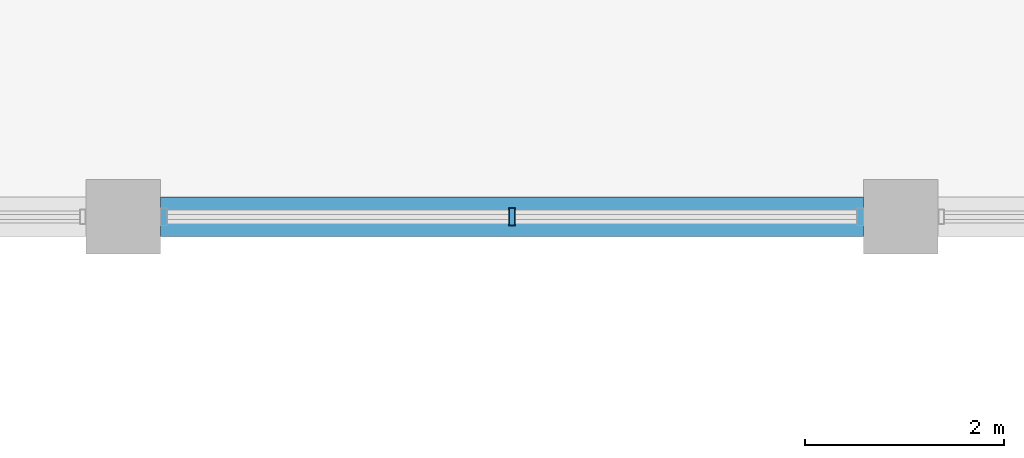
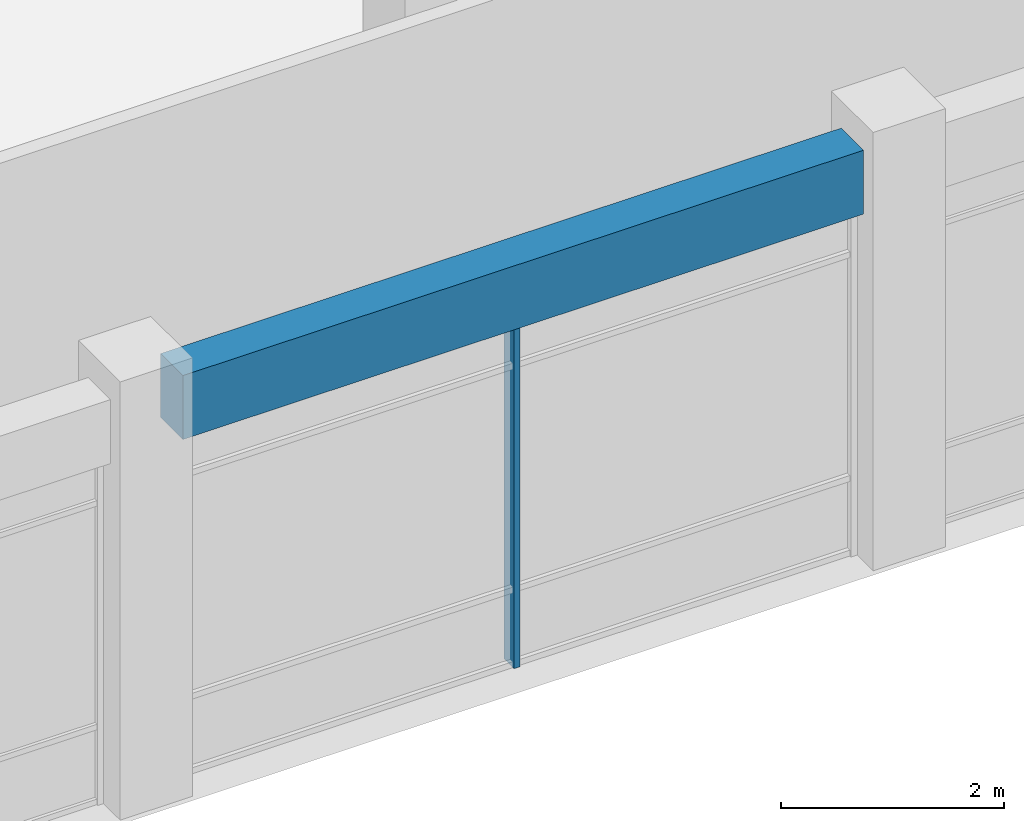
# One storey, part 7 of 62: 1 beam, 1 member, 1 element without a shape of its own.
"""IFC4 building model written with IfcOpenShell, lengths in metres."""

from ifc_helpers import new_model, si_unit, direction, frame, origin, origin_2d, place, context, subcontext, project, spatial, rectangle, hollow_rectangle, extrude, material, material_profile, profile_set, type_object, element, aggregate, save


model = new_model("IFC4")

# Units and contexts
model_context = context("Model", 3, precision=1e-05, world=origin(), true_north=direction((0.0, 1.0)))
body_context = subcontext(model_context, "Body", "Model", "MODEL_VIEW")
ifc_project = project(units=[si_unit("LENGTHUNIT", "METRE"), si_unit("AREAUNIT", "SQUARE_METRE"), si_unit("VOLUMEUNIT", "CUBIC_METRE"), si_unit("PLANEANGLEUNIT", "RADIAN"), si_unit("MASSUNIT", "GRAM", prefix="KILO"), si_unit("THERMODYNAMICTEMPERATUREUNIT", "KELVIN"), si_unit("POWERUNIT", "WATT")], contexts=[model_context])

# Site, building, storey
site_placement = place(None, origin())
site = spatial("IfcSite", under=ifc_project, at=site_placement, CompositionType="ELEMENT")
building_placement = place(site_placement, origin())
building = spatial("IfcBuilding", under=site, at=building_placement, Name="Srebrne Nadtorze General Hospital", CompositionType="ELEMENT")
storey_placement = place(building_placement, frame((0.0, 0.0, 9.60009765625)))
storey = spatial("IfcBuildingStorey", under=building, at=storey_placement, Name="L02", CompositionType="ELEMENT", Elevation=9.60009765625)

# Curtain wall, member
ifc_material_1 = material(Name="Anodised Aluminium", Category="aluminium")
curtain_wall_type = type_object("IfcCurtainWallType", Name="Unitised curtain wall 7050x3800", PredefinedType="NOTDEFINED", material=ifc_material_1)
curtain_wall_placement = place(storey_placement, origin())
curtain_wall = element("IfcCurtainWall", 1, at=curtain_wall_placement, inside=storey, type_object=curtain_wall_type, Name="Curtain wall CW-077", PredefinedType="NOTDEFINED")
ifc_material_2 = material(Name="Anodised Aluminium", Category="aluminium")
ifc_material_profile_1 = material_profile(ifc_material_2, hollow_rectangle(XDim=0.06494140625, YDim=0.179931640625, WallThickness=0.00390625, at=origin_2d()), Name="AL-MUL-65x180")
ifc_profile_set_1 = profile_set([ifc_material_profile_1], Name="Anodised Aluminium")
member_type = type_object("IfcMemberType", Name="Curtain mullion 65x180", PredefinedType="MULLION", material=ifc_profile_set_1)
member_placement = place(storey_placement, frame((66.300048828125, 50.39990234375, 0.0), z_axis=(0.0, 0.0, 1.0), x_axis=(1.0, 0.0, 0.0)))
member = element("IfcMember", 2, at=member_placement, type_object=member_type, Name="CW-077 mullion 2", PredefinedType="MULLION", context=body_context, shape_type="SweptSolid", body=[
    extrude(hollow_rectangle(XDim=0.06494140625, YDim=0.179931640625, WallThickness=0.00390625, at=origin_2d()), origin(), (0.0, 0.0, 1.0), 3.7998046875),
])
aggregate(curtain_wall, [member])

# Beam
ifc_material_3 = material(Name="Concrete C40/50", Category="concrete")
ifc_material_profile_2 = material_profile(ifc_material_3, rectangle(XDim=0.39990234375, YDim=0.699951171875, at=origin_2d()), Name="RC-BM-400x700")
ifc_profile_set_2 = profile_set([ifc_material_profile_2], Name="Concrete C40/50")
beam_type = type_object("IfcBeamType", Name="Edge beam RC 400x700", PredefinedType="BEAM", material=ifc_profile_set_2)
beam_placement = place(storey_placement, frame((62.77490234375, 50.39990234375, 4.14990234375), z_axis=(1.0, 0.0, 0.0), x_axis=(0.0, 1.0, 0.0)))
element("IfcBeam", 3, at=beam_placement, inside=storey, type_object=beam_type, Name="Beam BM-L02-X-0583", PredefinedType="BEAM", context=body_context, shape_type="SweptSolid", body=[
    extrude(rectangle(XDim=0.39990234375, YDim=0.699951171875, at=origin_2d()), origin(), (0.0, 0.0, 1.0), 7.050048828125),
])

save(model, "model.ifc")
